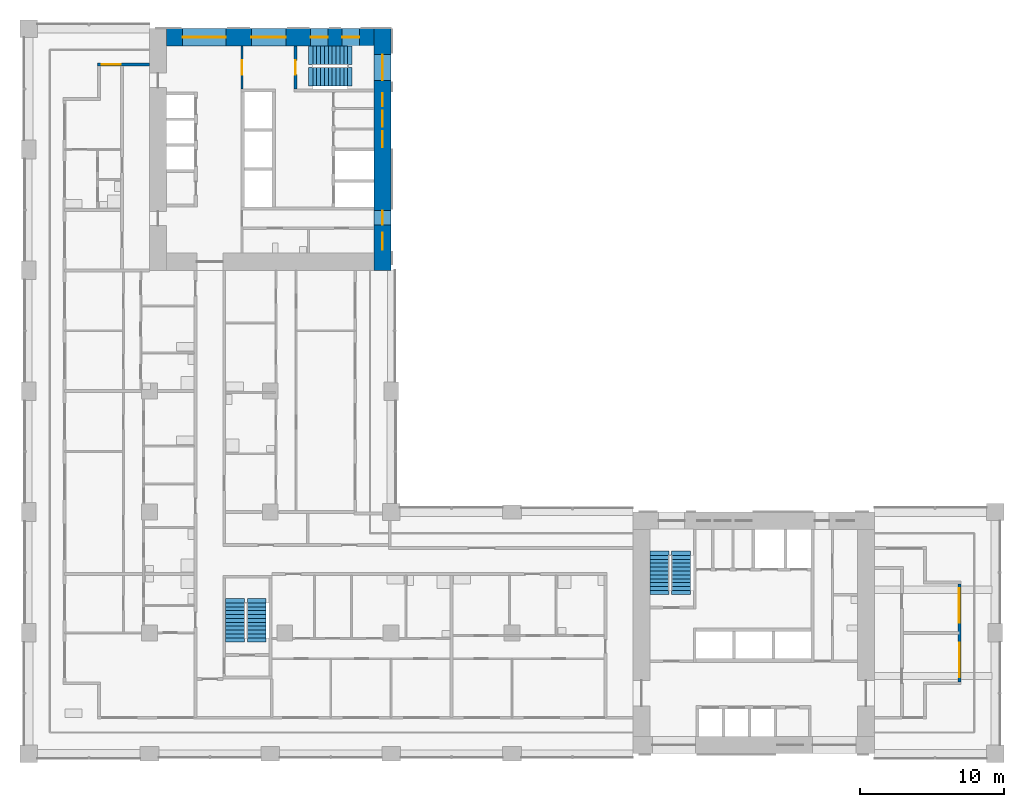
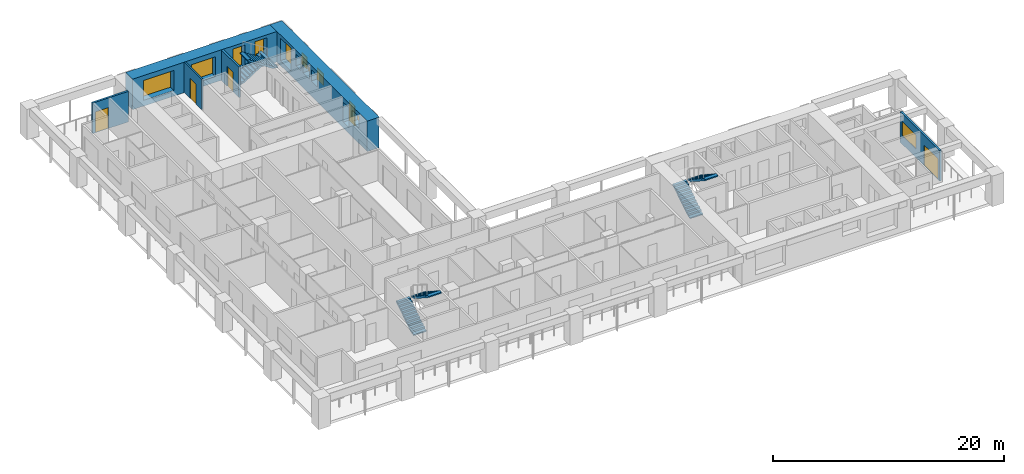
# One storey, part 8 of 17: 11 windows, 6 stair flights, 6 walls, 4 doors, 15 openings, 3 elements without a shape of their own.
"""IFC4 building model written with IfcOpenShell, lengths in metres."""

from ifc_helpers import new_model, si_unit, direction, frame, frame_2d, origin, place, context, subcontext, project, spatial, polyline, rectangle, outline, extrude, material, layer, layer_set, type_object, element, fill, aggregate, save


model = new_model("IFC4")

# Units and contexts
model_context = context("Model", 3, precision=1e-05, world=origin(), true_north=direction((0.0, 1.0)))
body_context = subcontext(model_context, "Body", "Model", "MODEL_VIEW")
ifc_project = project(units=[si_unit("LENGTHUNIT", "METRE"), si_unit("AREAUNIT", "SQUARE_METRE"), si_unit("VOLUMEUNIT", "CUBIC_METRE"), si_unit("PLANEANGLEUNIT", "RADIAN"), si_unit("MASSUNIT", "GRAM", prefix="KILO")], contexts=[model_context])

# Site, building, storey
site_placement = place(None, origin())
site = spatial("IfcSite", under=ifc_project, at=site_placement, CompositionType="ELEMENT")
building_placement = place(site_placement, origin())
building = spatial("IfcBuilding", under=site, at=building_placement, Name="Vermilion Gate Residences", CompositionType="ELEMENT")
storey_placement = place(building_placement, frame((0.0, 0.0, 112.699951171875)))
storey = spatial("IfcBuildingStorey", under=building, at=storey_placement, Name="L28", CompositionType="ELEMENT", Elevation=112.699951171875)

# Wall, opening, door
ifc_material_1 = material(Name="Masonry blockwork", Category="masonry")
ifc_layer_1 = layer(ifc_material_1, 0.14990234375)
ifc_layer_set_1 = layer_set([ifc_layer_1], Name="BLOCKWORK PARTITION 150 EI 120")
wall_type_1 = type_object("IfcWallType", Name="BLOCKWORK PARTITION 150 EI 120", PredefinedType="PARTITIONING", material=ifc_layer_set_1)
wall_1_placement = place(storey_placement, frame((14.824951171875, 57.60009765625, 0.0), z_axis=(0.0, 0.0, 1.0), x_axis=(0.0, -1.0, 0.0)))
wall_1 = element("IfcWall", 1, at=wall_1_placement, inside=storey, type_object=wall_type_1, Name="Core room partition B28-VW-S", PredefinedType="PARTITIONING", context=body_context, shape_type="SweptSolid", body=[
    extrude(rectangle(XDim=3.0, YDim=0.14990234375, at=frame_2d((1.5, 0.0))), origin(), (0.0, 0.0, 1.0), 3.219970703125),
])
opening_1_placement = place(wall_1_placement, frame((1.0, 0.0, 0.0)))
opening_1 = element("IfcOpeningElement", 2, at=opening_1_placement, cuts=wall_1, Name="Opening DK28113", PredefinedType="OPENING", context=body_context, shape_type="SweptSolid", body=[
    extrude(rectangle(XDim=1.0, YDim=2.10009765625, at=frame_2d((0.5, 1.050048828125))), frame((0.0, 0.0849609375, 0.0), z_axis=(0.0, -1.0, 0.0), x_axis=(1.0, 0.0, 0.0)), (0.0, 0.0, 1.0), 0.169921875),
])
ifc_material_2 = material(Name="Steel", Category="steel")
door_type_1 = type_object("IfcDoorType", Name="FIRE DOOR FD60 1000 X 2100", OperationType="SINGLE_SWING_LEFT", PredefinedType="DOOR", material=ifc_material_2)
door_1_placement = place(opening_1_placement, frame((1.0, 0.0, 0.0), z_axis=(0.0, 0.0, 1.0), x_axis=(-1.0, 0.0, 0.0)))
door_1 = element("IfcDoor", 3, at=door_1_placement, inside=storey, type_object=door_type_1, Name="Stair vestibule door B28", OperationType="SINGLE_SWING_RIGHT", OverallHeight=2.10009765625, OverallWidth=1.0, PredefinedType="DOOR", context=body_context, shape_type="SweptSolid", body=[
    extrude(rectangle(XDim=1.0, YDim=2.10009765625, at=frame_2d((0.5, 1.050048828125))), frame((0.0, 0.02490234375, 0.0), z_axis=(0.0, -1.0, 0.0), x_axis=(1.0, 0.0, 0.0)), (0.0, 0.0, 1.0), 0.050048828125),
])
fill(opening_1, door_1)

ifc_material_3 = material(Name="Insulated steel stud wall with terracotta rainscreen", Category="masonry")
ifc_layer_2 = layer(ifc_material_3, 0.199951171875)
ifc_layer_set_2 = layer_set([ifc_layer_2], Name="EXTERNAL WALL 200 TERRACOTTA RAINSCREEN")
wall_type_2 = type_object("IfcWallType", Name="EXTERNAL WALL 200 TERRACOTTA RAINSCREEN", PredefinedType="SOLIDWALL", material=ifc_layer_set_2)
wall_2_placement = place(storey_placement, frame((8.39990234375, 56.300048828125, 0.0), z_axis=(0.0, 0.0, 1.0), x_axis=(-1.0, 0.0, 0.0)))
wall_2 = element("IfcWall", 4, at=wall_2_placement, inside=storey, type_object=wall_type_2, Name="External wall", PredefinedType="SOLIDWALL", context=body_context, shape_type="SweptSolid", body=[
    extrude(rectangle(XDim=3.599853515625, YDim=0.199951171875, at=frame_2d((1.7998046875, 0.0))), origin(), (0.0, 0.0, 1.0), 3.219970703125),
])
opening_2_placement = place(wall_2_placement, frame((2.0, 0.0, 0.0)))
opening_2 = element("IfcOpeningElement", 5, at=opening_2_placement, cuts=wall_2, Name="Opening DE28001", PredefinedType="OPENING", context=body_context, shape_type="SweptSolid", body=[
    extrude(rectangle(XDim=1.300048828125, YDim=2.199951171875, at=frame_2d((0.64990234375, 1.10009765625))), frame((0.0, 0.10986328125, 0.0), z_axis=(0.0, -1.0, 0.0), x_axis=(1.0, 0.0, 0.0)), (0.0, 0.0, 1.0), 0.219970703125),
])
ifc_material_4 = material(Name="Aluminium and clear glass", Category="aluminium")
door_type_2 = type_object("IfcDoorType", Name="SLIDING GLAZED DOOR 1300 X 2200", OperationType="DOUBLE_DOOR_SLIDING", PredefinedType="DOOR", material=ifc_material_4)
door_2_placement = place(opening_2_placement, origin())
door_2 = element("IfcDoor", 6, at=door_2_placement, inside=storey, type_object=door_type_2, Name="Loggia sliding door", OperationType="DOUBLE_DOOR_SLIDING", OverallHeight=2.199951171875, OverallWidth=1.300048828125, PredefinedType="DOOR", context=body_context, shape_type="SweptSolid", body=[
    extrude(rectangle(XDim=1.300048828125, YDim=2.199951171875, at=frame_2d((0.64990234375, 1.10009765625))), frame((0.0, 0.02490234375, 0.0), z_axis=(0.0, -1.0, 0.0), x_axis=(1.0, 0.0, 0.0)), (0.0, 0.0, 1.0), 0.050048828125),
])
fill(opening_2, door_2)

# Wall, openings, door, window
wall_3_placement = place(storey_placement, frame((64.699951171875, 13.39990234375, 0.0), z_axis=(0.0, 0.0, 1.0), x_axis=(0.0, 1.0, 0.0)))
wall_3 = element("IfcWall", 7, at=wall_3_placement, inside=storey, type_object=wall_type_2, Name="External wall", PredefinedType="SOLIDWALL", context=body_context, shape_type="SweptSolid", body=[
    extrude(rectangle(XDim=6.800048828125, YDim=0.199951171875, at=frame_2d((3.39990234375, 0.0))), origin(), (0.0, 0.0, 1.0), 3.219970703125),
])
opening_3_placement = place(wall_3_placement, frame((4.10009765625, 0.0, 0.89990234375)))
opening_3 = element("IfcOpeningElement", 8, at=opening_3_placement, cuts=wall_3, Name="Opening WE28022", PredefinedType="OPENING", context=body_context, shape_type="SweptSolid", body=[
    extrude(rectangle(XDim=2.39990234375, YDim=1.5, at=frame_2d((1.199951171875, 0.75))), frame((0.0, 0.10986328125, 0.0), z_axis=(0.0, -1.0, 0.0), x_axis=(1.0, 0.0, 0.0)), (0.0, 0.0, 1.0), 0.219970703125),
])
opening_4_placement = place(wall_3_placement, frame((0.300048828125, 0.0, 0.0)))
opening_4 = element("IfcOpeningElement", 9, at=opening_4_placement, cuts=wall_3, Name="Opening DE28028", PredefinedType="OPENING", context=body_context, shape_type="SweptSolid", body=[
    extrude(rectangle(XDim=2.39990234375, YDim=2.199951171875, at=frame_2d((1.199951171875, 1.10009765625))), frame((0.0, 0.10986328125, 0.0), z_axis=(0.0, -1.0, 0.0), x_axis=(1.0, 0.0, 0.0)), (0.0, 0.0, 1.0), 0.219970703125),
])
ifc_material_5 = material(Name="Aluminium and clear glass", Category="aluminium")
door_type_3 = type_object("IfcDoorType", Name="SLIDING GLAZED DOOR 2400 X 2200", OperationType="DOUBLE_DOOR_SLIDING", PredefinedType="DOOR", material=ifc_material_5)
door_3_placement = place(opening_4_placement, origin())
door_3 = element("IfcDoor", 10, at=door_3_placement, inside=storey, type_object=door_type_3, Name="Loggia sliding door", OperationType="DOUBLE_DOOR_SLIDING", OverallHeight=2.199951171875, OverallWidth=2.39990234375, PredefinedType="DOOR", context=body_context, shape_type="SweptSolid", body=[
    extrude(rectangle(XDim=2.39990234375, YDim=2.199951171875, at=frame_2d((1.199951171875, 1.10009765625))), frame((0.0, 0.02490234375, 0.0), z_axis=(0.0, -1.0, 0.0), x_axis=(1.0, 0.0, 0.0)), (0.0, 0.0, 1.0), 0.050048828125),
])
fill(opening_4, door_3)
ifc_material_6 = material(Name="Aluminium and clear glass", Category="aluminium")
window_type_1 = type_object("IfcWindowType", Name="WINDOW 2400 X 1500", PartitioningType="SINGLE_PANEL", PredefinedType="WINDOW", material=ifc_material_6)
window_1_placement = place(opening_3_placement, origin())
window_1 = element("IfcWindow", 11, at=window_1_placement, inside=storey, type_object=window_type_1, Name="Window", OverallHeight=1.5, OverallWidth=2.39990234375, PartitioningType="SINGLE_PANEL", PredefinedType="WINDOW", context=body_context, shape_type="SweptSolid", body=[
    extrude(rectangle(XDim=2.39990234375, YDim=1.5, at=frame_2d((1.199951171875, 0.75))), frame((0.0, 0.030029296875, 0.0), z_axis=(0.0, -1.0, 0.0), x_axis=(1.0, 0.0, 0.0)), (0.0, 0.0, 1.0), 0.06005859375),
])
fill(opening_3, window_1)

# Wall, opening, door
ifc_material_7 = material(Name="Concrete C60", Category="concrete")
ifc_layer_3 = layer(ifc_material_7, 0.199951171875)
ifc_layer_set_3 = layer_set([ifc_layer_3], Name="RC CORE INTERNAL WALL 200 C60")
wall_type_3 = type_object("IfcWallType", Name="RC CORE INTERNAL WALL 200 C60", PredefinedType="SHEAR", material=ifc_layer_set_3)
wall_4_placement = place(storey_placement, frame((18.550048828125, 57.60009765625, 0.0), z_axis=(0.0, 0.0, 1.0), x_axis=(0.0, -1.0, 0.0)))
wall_4 = element("IfcWall", 12, at=wall_4_placement, inside=storey, type_object=wall_type_3, Name="Core internal wall B28-STW-S", PredefinedType="SHEAR", context=body_context, shape_type="SweptSolid", body=[
    extrude(rectangle(XDim=3.0, YDim=0.199951171875, at=frame_2d((1.5, 0.0))), origin(), (0.0, 0.0, 1.0), 3.219970703125),
])
opening_5_placement = place(wall_4_placement, frame((1.0, 0.0, 0.0)))
opening_5 = element("IfcOpeningElement", 13, at=opening_5_placement, cuts=wall_4, Name="Opening DK28114", PredefinedType="OPENING", context=body_context, shape_type="SweptSolid", body=[
    extrude(rectangle(XDim=1.0, YDim=2.10009765625, at=frame_2d((0.5, 1.050048828125))), frame((0.0, 0.10986328125, 0.0), z_axis=(0.0, -1.0, 0.0), x_axis=(1.0, 0.0, 0.0)), (0.0, 0.0, 1.0), 0.219970703125),
])
door_4_placement = place(opening_5_placement, origin())
door_4 = element("IfcDoor", 14, at=door_4_placement, inside=storey, type_object=door_type_1, Name="Stair door B28", OperationType="SINGLE_SWING_LEFT", OverallHeight=2.10009765625, OverallWidth=1.0, PredefinedType="DOOR", context=body_context, shape_type="SweptSolid", body=[
    extrude(rectangle(XDim=1.0, YDim=2.10009765625, at=frame_2d((0.5, 1.050048828125))), frame((0.0, 0.02490234375, 0.0), z_axis=(0.0, -1.0, 0.0), x_axis=(1.0, 0.0, 0.0)), (0.0, 0.0, 1.0), 0.050048828125),
])
fill(opening_5, door_4)

# Wall, openings, windows
ifc_material_8 = material(Name="Concrete C70 red-oxide pigmented", Category="concrete")
ifc_layer_4 = layer(ifc_material_8, 1.199951171875)
ifc_layer_set_4 = layer_set([ifc_layer_4], Name="RC CORE WALL 1200 C70 RED OXIDE")
wall_type_4 = type_object("IfcWallType", Name="RC CORE WALL 1200 C70 RED OXIDE", PredefinedType="SHEAR", material=ifc_layer_set_4)
wall_5_placement = place(storey_placement, frame((24.60009765625, 58.800048828125, 0.0), z_axis=(0.0, 0.0, 1.0), x_axis=(0.0, -1.0, 0.0)))
wall_5 = element("IfcWall", 15, at=wall_5_placement, inside=storey, type_object=wall_type_4, Name="Core wall B28-OUT-B1", PredefinedType="SHEAR", context=body_context, shape_type="SweptSolid", body=[
    extrude(rectangle(XDim=16.800048828125, YDim=1.199951171875, at=frame_2d((8.39990234375, 0.0))), origin(), (0.0, 0.0, 1.0), 3.219970703125),
])
opening_6_placement = place(wall_5_placement, frame((1.800048828125, 0.0, 0.5)))
opening_6 = element("IfcOpeningElement", 16, at=opening_6_placement, cuts=wall_5, Name="Opening WKB2801", PredefinedType="OPENING", context=body_context, shape_type="SweptSolid", body=[
    extrude(rectangle(XDim=1.800048828125, YDim=2.39990234375, at=frame_2d((0.89990234375, 1.199951171875))), frame((0.0, 0.60986328125, 0.0), z_axis=(0.0, -1.0, 0.0), x_axis=(1.0, 0.0, 0.0)), (0.0, 0.0, 1.0), 1.219970703125),
])
opening_7_placement = place(wall_5_placement, frame((4.489990234375, 0.0, 1.60009765625)))
opening_7 = element("IfcOpeningElement", 17, at=opening_7_placement, cuts=wall_5, Name="Opening WKB2802", PredefinedType="OPENING", context=body_context, shape_type="SweptSolid", body=[
    extrude(rectangle(XDim=0.89990234375, YDim=1.199951171875, at=frame_2d((0.449951171875, 0.60009765625))), frame((0.0, 0.60986328125, 0.0), z_axis=(0.0, -1.0, 0.0), x_axis=(1.0, 0.0, 0.0)), (0.0, 0.0, 1.0), 1.219970703125),
])
opening_8_placement = place(wall_5_placement, frame((5.7099609375, 0.0, 1.60009765625)))
opening_8 = element("IfcOpeningElement", 18, at=opening_8_placement, cuts=wall_5, Name="Opening WKB2803", PredefinedType="OPENING", context=body_context, shape_type="SweptSolid", body=[
    extrude(rectangle(XDim=1.10009765625, YDim=1.199951171875, at=frame_2d((0.550048828125, 0.60009765625))), frame((0.0, 0.60986328125, 0.0), z_axis=(0.0, -1.0, 0.0), x_axis=(1.0, 0.0, 0.0)), (0.0, 0.0, 1.0), 1.219970703125),
])
opening_9_placement = place(wall_5_placement, frame((7.14990234375, 0.0, 1.60009765625)))
opening_9 = element("IfcOpeningElement", 19, at=opening_9_placement, cuts=wall_5, Name="Opening WKB2804", PredefinedType="OPENING", context=body_context, shape_type="SweptSolid", body=[
    extrude(rectangle(XDim=1.10009765625, YDim=1.199951171875, at=frame_2d((0.550048828125, 0.60009765625))), frame((0.0, 0.60986328125, 0.0), z_axis=(0.0, -1.0, 0.0), x_axis=(1.0, 0.0, 0.0)), (0.0, 0.0, 1.0), 1.219970703125),
])
opening_10_placement = place(wall_5_placement, frame((12.64990234375, 0.0, 0.60009765625)))
opening_10 = element("IfcOpeningElement", 20, at=opening_10_placement, cuts=wall_5, Name="Opening WKB2805", PredefinedType="OPENING", context=body_context, shape_type="SweptSolid", body=[
    extrude(rectangle(XDim=1.0, YDim=2.10009765625, at=frame_2d((0.5, 1.050048828125))), frame((0.0, 0.60986328125, 0.0), z_axis=(0.0, -1.0, 0.0), x_axis=(1.0, 0.0, 0.0)), (0.0, 0.0, 1.0), 1.219970703125),
])
opening_11_placement = place(wall_5_placement, frame((14.175048828125, 0.0, 1.60009765625)))
opening_11 = element("IfcOpeningElement", 21, at=opening_11_placement, cuts=wall_5, Name="Opening WKB2806", PredefinedType="OPENING", context=body_context, shape_type="SweptSolid", body=[
    extrude(rectangle(XDim=1.199951171875, YDim=1.199951171875, at=frame_2d((0.60009765625, 0.60009765625))), frame((0.0, 0.60986328125, 0.0), z_axis=(0.0, -1.0, 0.0), x_axis=(1.0, 0.0, 0.0)), (0.0, 0.0, 1.0), 1.219970703125),
])
ifc_material_9 = material(Name="Aluminium and clear glass", Category="aluminium")
window_type_2 = type_object("IfcWindowType", Name="CORE CORRIDOR WINDOW 1000 X 2100", PartitioningType="SINGLE_PANEL", PredefinedType="WINDOW", material=ifc_material_9)
window_2_placement = place(opening_10_placement, origin())
window_2 = element("IfcWindow", 22, at=window_2_placement, inside=storey, type_object=window_type_2, Name="Core corridor window", OverallHeight=2.10009765625, OverallWidth=1.0, PartitioningType="SINGLE_PANEL", PredefinedType="WINDOW", context=body_context, shape_type="SweptSolid", body=[
    extrude(rectangle(XDim=1.0, YDim=2.10009765625, at=frame_2d((0.5, 1.050048828125))), frame((0.0, 0.030029296875, 0.0), z_axis=(0.0, -1.0, 0.0), x_axis=(1.0, 0.0, 0.0)), (0.0, 0.0, 1.0), 0.06005859375),
])
fill(opening_10, window_2)
ifc_material_10 = material(Name="Aluminium frame with louvre blades", Category="aluminium")
window_type_3 = type_object("IfcWindowType", Name="CORE LOUVRE 1100 X 1200", PartitioningType="SINGLE_PANEL", PredefinedType="WINDOW", material=ifc_material_10)
window_3_placement = place(opening_8_placement, origin())
window_3 = element("IfcWindow", 23, at=window_3_placement, inside=storey, type_object=window_type_3, Name="Core louvre", OverallHeight=1.199951171875, OverallWidth=1.10009765625, PartitioningType="SINGLE_PANEL", PredefinedType="WINDOW", context=body_context, shape_type="SweptSolid", body=[
    extrude(rectangle(XDim=1.10009765625, YDim=1.199951171875, at=frame_2d((0.550048828125, 0.60009765625))), frame((0.0, 0.030029296875, 0.0), z_axis=(0.0, -1.0, 0.0), x_axis=(1.0, 0.0, 0.0)), (0.0, 0.0, 1.0), 0.06005859375),
])
fill(opening_8, window_3)
window_4_placement = place(opening_9_placement, origin())
window_4 = element("IfcWindow", 24, at=window_4_placement, inside=storey, type_object=window_type_3, Name="Core louvre", OverallHeight=1.199951171875, OverallWidth=1.10009765625, PartitioningType="SINGLE_PANEL", PredefinedType="WINDOW", context=body_context, shape_type="SweptSolid", body=[
    extrude(rectangle(XDim=1.10009765625, YDim=1.199951171875, at=frame_2d((0.550048828125, 0.60009765625))), frame((0.0, 0.030029296875, 0.0), z_axis=(0.0, -1.0, 0.0), x_axis=(1.0, 0.0, 0.0)), (0.0, 0.0, 1.0), 0.06005859375),
])
fill(opening_9, window_4)
ifc_material_11 = material(Name="Aluminium frame with louvre blades", Category="aluminium")
window_type_4 = type_object("IfcWindowType", Name="CORE LOUVRE 1200 X 1200", PartitioningType="SINGLE_PANEL", PredefinedType="WINDOW", material=ifc_material_11)
window_5_placement = place(opening_11_placement, origin())
window_5 = element("IfcWindow", 25, at=window_5_placement, inside=storey, type_object=window_type_4, Name="Core louvre", OverallHeight=1.199951171875, OverallWidth=1.199951171875, PartitioningType="SINGLE_PANEL", PredefinedType="WINDOW", context=body_context, shape_type="SweptSolid", body=[
    extrude(rectangle(XDim=1.199951171875, YDim=1.199951171875, at=frame_2d((0.60009765625, 0.60009765625))), frame((0.0, 0.030029296875, 0.0), z_axis=(0.0, -1.0, 0.0), x_axis=(1.0, 0.0, 0.0)), (0.0, 0.0, 1.0), 0.06005859375),
])
fill(opening_11, window_5)
ifc_material_12 = material(Name="Aluminium frame with louvre blades", Category="aluminium")
window_type_5 = type_object("IfcWindowType", Name="CORE LOUVRE 900 X 1200", PartitioningType="SINGLE_PANEL", PredefinedType="WINDOW", material=ifc_material_12)
window_6_placement = place(opening_7_placement, origin())
window_6 = element("IfcWindow", 26, at=window_6_placement, inside=storey, type_object=window_type_5, Name="Core louvre", OverallHeight=1.199951171875, OverallWidth=0.89990234375, PartitioningType="SINGLE_PANEL", PredefinedType="WINDOW", context=body_context, shape_type="SweptSolid", body=[
    extrude(rectangle(XDim=0.89990234375, YDim=1.199951171875, at=frame_2d((0.449951171875, 0.60009765625))), frame((0.0, 0.030029296875, 0.0), z_axis=(0.0, -1.0, 0.0), x_axis=(1.0, 0.0, 0.0)), (0.0, 0.0, 1.0), 0.06005859375),
])
fill(opening_7, window_6)
ifc_material_13 = material(Name="Aluminium and clear glass", Category="aluminium")
window_type_6 = type_object("IfcWindowType", Name="CORE STAIR WINDOW 1800 X 2400", PartitioningType="SINGLE_PANEL", PredefinedType="WINDOW", material=ifc_material_13)
window_7_placement = place(opening_6_placement, origin())
window_7 = element("IfcWindow", 27, at=window_7_placement, inside=storey, type_object=window_type_6, Name="Core stair window", OverallHeight=2.39990234375, OverallWidth=1.800048828125, PartitioningType="SINGLE_PANEL", PredefinedType="WINDOW", context=body_context, shape_type="SweptSolid", body=[
    extrude(rectangle(XDim=1.800048828125, YDim=2.39990234375, at=frame_2d((0.89990234375, 1.199951171875))), frame((0.0, 0.030029296875, 0.0), z_axis=(0.0, -1.0, 0.0), x_axis=(1.0, 0.0, 0.0)), (0.0, 0.0, 1.0), 0.06005859375),
])
fill(opening_6, window_7)

wall_6_placement = place(storey_placement, frame((9.60009765625, 58.199951171875, 0.0), z_axis=(0.0, 0.0, 1.0), x_axis=(1.0, 0.0, 0.0)))
wall_6 = element("IfcWall", 28, at=wall_6_placement, inside=storey, type_object=wall_type_4, Name="Core wall B28-OUT-FR", PredefinedType="SHEAR", context=body_context, shape_type="SweptSolid", body=[
    extrude(rectangle(XDim=14.39990234375, YDim=1.199951171875, at=frame_2d((7.199951171875, 0.0))), origin(), (0.0, 0.0, 1.0), 3.219970703125),
])
opening_12_placement = place(wall_6_placement, frame((1.10498046875, 0.0, 0.60009765625)))
opening_12 = element("IfcOpeningElement", 29, at=opening_12_placement, cuts=wall_6, Name="Opening WKB2807", PredefinedType="OPENING", context=body_context, shape_type="SweptSolid", body=[
    extrude(rectangle(XDim=3.0, YDim=2.10009765625, at=frame_2d((1.5, 1.050048828125))), frame((0.0, 0.60986328125, 0.0), z_axis=(0.0, -1.0, 0.0), x_axis=(1.0, 0.0, 0.0)), (0.0, 0.0, 1.0), 1.219970703125),
])
opening_13_placement = place(wall_6_placement, frame((5.875, 0.0, 0.60009765625)))
opening_13 = element("IfcOpeningElement", 30, at=opening_13_placement, cuts=wall_6, Name="Opening WKB2808", PredefinedType="OPENING", context=body_context, shape_type="SweptSolid", body=[
    extrude(rectangle(XDim=2.39990234375, YDim=2.10009765625, at=frame_2d((1.199951171875, 1.050048828125))), frame((0.0, 0.60986328125, 0.0), z_axis=(0.0, -1.0, 0.0), x_axis=(1.0, 0.0, 0.0)), (0.0, 0.0, 1.0), 1.219970703125),
])
opening_14_placement = place(wall_6_placement, frame((9.993408203125, 0.0, 0.5)))
opening_14 = element("IfcOpeningElement", 31, at=opening_14_placement, cuts=wall_6, Name="Opening WKB2809", PredefinedType="OPENING", context=body_context, shape_type="SweptSolid", body=[
    extrude(rectangle(XDim=1.199951171875, YDim=2.39990234375, at=frame_2d((0.60009765625, 1.199951171875))), frame((0.0, 0.60986328125, 0.0), z_axis=(0.0, -1.0, 0.0), x_axis=(1.0, 0.0, 0.0)), (0.0, 0.0, 1.0), 1.219970703125),
])
opening_15_placement = place(wall_6_placement, frame((12.19677734375, 0.0, 0.5)))
opening_15 = element("IfcOpeningElement", 32, at=opening_15_placement, cuts=wall_6, Name="Opening WKB2810", PredefinedType="OPENING", context=body_context, shape_type="SweptSolid", body=[
    extrude(rectangle(XDim=1.199951171875, YDim=2.39990234375, at=frame_2d((0.60009765625, 1.199951171875))), frame((0.0, 0.60986328125, 0.0), z_axis=(0.0, -1.0, 0.0), x_axis=(1.0, 0.0, 0.0)), (0.0, 0.0, 1.0), 1.219970703125),
])
ifc_material_14 = material(Name="Aluminium and clear glass", Category="aluminium")
window_type_7 = type_object("IfcWindowType", Name="CORE LOBBY WINDOW 2400 X 2100", PartitioningType="SINGLE_PANEL", PredefinedType="WINDOW", material=ifc_material_14)
window_8_placement = place(opening_13_placement, origin())
window_8 = element("IfcWindow", 33, at=window_8_placement, inside=storey, type_object=window_type_7, Name="Core lobby window", OverallHeight=2.10009765625, OverallWidth=2.39990234375, PartitioningType="SINGLE_PANEL", PredefinedType="WINDOW", context=body_context, shape_type="SweptSolid", body=[
    extrude(rectangle(XDim=2.39990234375, YDim=2.10009765625, at=frame_2d((1.199951171875, 1.050048828125))), frame((0.0, 0.030029296875, 0.0), z_axis=(0.0, -1.0, 0.0), x_axis=(1.0, 0.0, 0.0)), (0.0, 0.0, 1.0), 0.06005859375),
])
fill(opening_13, window_8)
ifc_material_15 = material(Name="Aluminium and clear glass", Category="aluminium")
window_type_8 = type_object("IfcWindowType", Name="CORE LOBBY WINDOW 3000 X 2100", PartitioningType="SINGLE_PANEL", PredefinedType="WINDOW", material=ifc_material_15)
window_9_placement = place(opening_12_placement, origin())
window_9 = element("IfcWindow", 34, at=window_9_placement, inside=storey, type_object=window_type_8, Name="Core lobby window", OverallHeight=2.10009765625, OverallWidth=3.0, PartitioningType="SINGLE_PANEL", PredefinedType="WINDOW", context=body_context, shape_type="SweptSolid", body=[
    extrude(rectangle(XDim=3.0, YDim=2.10009765625, at=frame_2d((1.5, 1.050048828125))), frame((0.0, 0.030029296875, 0.0), z_axis=(0.0, -1.0, 0.0), x_axis=(1.0, 0.0, 0.0)), (0.0, 0.0, 1.0), 0.06005859375),
])
fill(opening_12, window_9)
ifc_material_16 = material(Name="Aluminium and clear glass", Category="aluminium")
window_type_9 = type_object("IfcWindowType", Name="CORE STAIR WINDOW 1200 X 2400", PartitioningType="SINGLE_PANEL", PredefinedType="WINDOW", material=ifc_material_16)
window_10_placement = place(opening_14_placement, origin())
window_10 = element("IfcWindow", 35, at=window_10_placement, inside=storey, type_object=window_type_9, Name="Core stair window", OverallHeight=2.39990234375, OverallWidth=1.199951171875, PartitioningType="SINGLE_PANEL", PredefinedType="WINDOW", context=body_context, shape_type="SweptSolid", body=[
    extrude(rectangle(XDim=1.199951171875, YDim=2.39990234375, at=frame_2d((0.60009765625, 1.199951171875))), frame((0.0, 0.030029296875, 0.0), z_axis=(0.0, -1.0, 0.0), x_axis=(1.0, 0.0, 0.0)), (0.0, 0.0, 1.0), 0.06005859375),
])
fill(opening_14, window_10)
window_11_placement = place(opening_15_placement, origin())
window_11 = element("IfcWindow", 36, at=window_11_placement, inside=storey, type_object=window_type_9, Name="Core stair window", OverallHeight=2.39990234375, OverallWidth=1.199951171875, PartitioningType="SINGLE_PANEL", PredefinedType="WINDOW", context=body_context, shape_type="SweptSolid", body=[
    extrude(rectangle(XDim=1.199951171875, YDim=2.39990234375, at=frame_2d((0.60009765625, 1.199951171875))), frame((0.0, 0.030029296875, 0.0), z_axis=(0.0, -1.0, 0.0), x_axis=(1.0, 0.0, 0.0)), (0.0, 0.0, 1.0), 0.06005859375),
])
fill(opening_15, window_11)

# Stair, stair flights
ifc_material_17 = material(Name="Concrete C50", Category="concrete")
stair_type = type_object("IfcStairType", Name="SPECIAL ESCAPE STAIR 1300", PredefinedType="HALF_TURN_STAIR", material=ifc_material_17)
stair_1_placement = place(storey_placement, origin())
stair_1 = element("IfcStair", 37, at=stair_1_placement, inside=storey, type_object=stair_type, Name="Special escape stair STA1-28", PredefinedType="HALF_TURN_STAIR")
ifc_material_18 = material(Name="Concrete C50", Category="concrete")
stair_flight_type = type_object("IfcStairFlightType", Name="STAIR FLIGHT 1300 RC C50", PredefinedType="STRAIGHT", material=ifc_material_18)
stair_flight_1_placement = place(storey_placement, frame((43.85009765625, 19.75, 0.0), z_axis=(0.0, 0.0, 1.0), x_axis=(0.0, 1.0, 0.0)))
stair_flight_1 = element("IfcStairFlight", 38, at=stair_flight_1_placement, type_object=stair_flight_type, Name="STA1-28 flight 1", NumberOfRisers=10, NumberOfTreads=9, PredefinedType="STRAIGHT", RiserHeight=0.175, TreadLength=0.27, context=body_context, shape_type="SweptSolid", body=[
    extrude(outline(polyline([(-0.300048828125, -0.14990234375), (-0.300048828125, -0.030029296875), (0.0, 0.0), (0.0, 0.175048828125), (0.27001953125, 0.175048828125), (0.27001953125, 0.35009765625), (0.5400390625, 0.35009765625), (0.5400390625, 0.52490234375), (0.81005859375, 0.52490234375), (0.81005859375, 0.699951171875), (1.080078125, 0.699951171875), (1.080078125, 0.875), (1.35009765625, 0.875), (1.35009765625, 1.050048828125), (1.6201171875, 1.050048828125), (1.6201171875, 1.22509765625), (1.889892578125, 1.22509765625), (1.889892578125, 1.39990234375), (2.159912109375, 1.39990234375), (2.159912109375, 1.574951171875), (2.429931640625, 1.574951171875), (2.429931640625, 1.75), (2.72998046875, 1.719970703125), (2.72998046875, 1.60009765625), (2.429931640625, 1.396484375), (0.275634765625, 0.0), (-0.300048828125, -0.14990234375)])), frame((0.0, 0.64990234375, 0.0), z_axis=(0.0, -1.0, 0.0), x_axis=(1.0, 0.0, 0.0)), (0.0, 0.0, 1.0), 1.300048828125),
])
stair_flight_2_placement = place(storey_placement, frame((45.35009765625, 22.179931640625, 1.75), z_axis=(0.0, 0.0, 1.0), x_axis=(0.0, -1.0, 0.0)))
stair_flight_2 = element("IfcStairFlight", 39, at=stair_flight_2_placement, type_object=stair_flight_type, Name="STA1-28 flight 2", NumberOfRisers=10, NumberOfTreads=9, PredefinedType="STRAIGHT", RiserHeight=0.175, TreadLength=0.27, context=body_context, shape_type="SweptSolid", body=[
    extrude(outline(polyline([(-0.300048828125, -0.14990234375), (-0.300048828125, -0.030029296875), (0.0, 0.0), (0.0, 0.175048828125), (0.27001953125, 0.175048828125), (0.27001953125, 0.35009765625), (0.5400390625, 0.35009765625), (0.5400390625, 0.52490234375), (0.81005859375, 0.52490234375), (0.81005859375, 0.699951171875), (1.080078125, 0.699951171875), (1.080078125, 0.875), (1.35009765625, 0.875), (1.35009765625, 1.050048828125), (1.6201171875, 1.050048828125), (1.6201171875, 1.22509765625), (1.889892578125, 1.22509765625), (1.889892578125, 1.39990234375), (2.159912109375, 1.39990234375), (2.159912109375, 1.574951171875), (2.429931640625, 1.574951171875), (2.429931640625, 1.75), (2.72998046875, 1.719970703125), (2.72998046875, 1.60009765625), (2.429931640625, 1.396484375), (0.275634765625, 0.0), (-0.300048828125, -0.14990234375)])), frame((0.0, 0.64990234375, 0.0), z_axis=(0.0, -1.0, 0.0), x_axis=(1.0, 0.0, 0.0)), (0.0, 0.0, 1.0), 1.300048828125),
])
aggregate(stair_1, [stair_flight_1, stair_flight_2])

stair_2_placement = place(storey_placement, origin())
stair_2 = element("IfcStair", 40, at=stair_2_placement, inside=storey, type_object=stair_type, Name="Special escape stair STB1-28", PredefinedType="HALF_TURN_STAIR")
stair_flight_3_placement = place(storey_placement, frame((19.75, 56.949951171875, 0.0), z_axis=(0.0, 0.0, 1.0), x_axis=(1.0, 0.0, 0.0)))
stair_flight_3 = element("IfcStairFlight", 41, at=stair_flight_3_placement, type_object=stair_flight_type, Name="STB1-28 flight 1", NumberOfRisers=10, NumberOfTreads=9, PredefinedType="STRAIGHT", RiserHeight=0.175, TreadLength=0.27, context=body_context, shape_type="SweptSolid", body=[
    extrude(outline(polyline([(-0.300048828125, -0.14990234375), (-0.300048828125, -0.030029296875), (0.0, 0.0), (0.0, 0.175048828125), (0.27001953125, 0.175048828125), (0.27001953125, 0.35009765625), (0.5400390625, 0.35009765625), (0.5400390625, 0.52490234375), (0.81005859375, 0.52490234375), (0.81005859375, 0.699951171875), (1.080078125, 0.699951171875), (1.080078125, 0.875), (1.35009765625, 0.875), (1.35009765625, 1.050048828125), (1.6201171875, 1.050048828125), (1.6201171875, 1.22509765625), (1.889892578125, 1.22509765625), (1.889892578125, 1.39990234375), (2.159912109375, 1.39990234375), (2.159912109375, 1.574951171875), (2.429931640625, 1.574951171875), (2.429931640625, 1.75), (2.72998046875, 1.719970703125), (2.72998046875, 1.60009765625), (2.429931640625, 1.396484375), (0.275634765625, 0.0), (-0.300048828125, -0.14990234375)])), frame((0.0, 0.64990234375, 0.0), z_axis=(0.0, -1.0, 0.0), x_axis=(1.0, 0.0, 0.0)), (0.0, 0.0, 1.0), 1.300048828125),
])
stair_flight_4_placement = place(storey_placement, frame((22.179931640625, 55.449951171875, 1.75), z_axis=(0.0, 0.0, 1.0), x_axis=(-1.0, 0.0, 0.0)))
stair_flight_4 = element("IfcStairFlight", 42, at=stair_flight_4_placement, type_object=stair_flight_type, Name="STB1-28 flight 2", NumberOfRisers=10, NumberOfTreads=9, PredefinedType="STRAIGHT", RiserHeight=0.175, TreadLength=0.27, context=body_context, shape_type="SweptSolid", body=[
    extrude(outline(polyline([(-0.300048828125, -0.14990234375), (-0.300048828125, -0.030029296875), (0.0, 0.0), (0.0, 0.175048828125), (0.27001953125, 0.175048828125), (0.27001953125, 0.35009765625), (0.5400390625, 0.35009765625), (0.5400390625, 0.52490234375), (0.81005859375, 0.52490234375), (0.81005859375, 0.699951171875), (1.080078125, 0.699951171875), (1.080078125, 0.875), (1.35009765625, 0.875), (1.35009765625, 1.050048828125), (1.6201171875, 1.050048828125), (1.6201171875, 1.22509765625), (1.889892578125, 1.22509765625), (1.889892578125, 1.39990234375), (2.159912109375, 1.39990234375), (2.159912109375, 1.574951171875), (2.429931640625, 1.574951171875), (2.429931640625, 1.75), (2.72998046875, 1.719970703125), (2.72998046875, 1.60009765625), (2.429931640625, 1.396484375), (0.275634765625, 0.0), (-0.300048828125, -0.14990234375)])), frame((0.0, 0.64990234375, 0.0), z_axis=(0.0, -1.0, 0.0), x_axis=(1.0, 0.0, 0.0)), (0.0, 0.0, 1.0), 1.300048828125),
])
aggregate(stair_2, [stair_flight_3, stair_flight_4])

stair_3_placement = place(storey_placement, origin())
stair_3 = element("IfcStair", 43, at=stair_3_placement, inside=storey, type_object=stair_type, Name="Special escape stair STC1-28", PredefinedType="HALF_TURN_STAIR")
stair_flight_5_placement = place(storey_placement, frame((14.35009765625, 16.449951171875, 0.0), z_axis=(0.0, 0.0, 1.0), x_axis=(0.0, 1.0, 0.0)))
stair_flight_5 = element("IfcStairFlight", 44, at=stair_flight_5_placement, type_object=stair_flight_type, Name="STC1-28 flight 1", NumberOfRisers=10, NumberOfTreads=9, PredefinedType="STRAIGHT", RiserHeight=0.175, TreadLength=0.27, context=body_context, shape_type="SweptSolid", body=[
    extrude(outline(polyline([(-0.300048828125, -0.14990234375), (-0.300048828125, -0.030029296875), (0.0, 0.0), (0.0, 0.175048828125), (0.27001953125, 0.175048828125), (0.27001953125, 0.35009765625), (0.5400390625, 0.35009765625), (0.5400390625, 0.52490234375), (0.81005859375, 0.52490234375), (0.81005859375, 0.699951171875), (1.080078125, 0.699951171875), (1.080078125, 0.875), (1.35009765625, 0.875), (1.35009765625, 1.050048828125), (1.6201171875, 1.050048828125), (1.6201171875, 1.22509765625), (1.889892578125, 1.22509765625), (1.889892578125, 1.39990234375), (2.159912109375, 1.39990234375), (2.159912109375, 1.574951171875), (2.429931640625, 1.574951171875), (2.429931640625, 1.75), (2.72998046875, 1.719970703125), (2.72998046875, 1.60009765625), (2.429931640625, 1.396484375), (0.275634765625, 0.0), (-0.300048828125, -0.14990234375)])), frame((0.0, 0.64990234375, 0.0), z_axis=(0.0, -1.0, 0.0), x_axis=(1.0, 0.0, 0.0)), (0.0, 0.0, 1.0), 1.300048828125),
])
stair_flight_6_placement = place(storey_placement, frame((15.85009765625, 18.8798828125, 1.75), z_axis=(0.0, 0.0, 1.0), x_axis=(0.0, -1.0, 0.0)))
stair_flight_6 = element("IfcStairFlight", 45, at=stair_flight_6_placement, type_object=stair_flight_type, Name="STC1-28 flight 2", NumberOfRisers=10, NumberOfTreads=9, PredefinedType="STRAIGHT", RiserHeight=0.175, TreadLength=0.27, context=body_context, shape_type="SweptSolid", body=[
    extrude(outline(polyline([(-0.300048828125, -0.14990234375), (-0.300048828125, -0.030029296875), (0.0, 0.0), (0.0, 0.175048828125), (0.27001953125, 0.175048828125), (0.27001953125, 0.35009765625), (0.5400390625, 0.35009765625), (0.5400390625, 0.52490234375), (0.81005859375, 0.52490234375), (0.81005859375, 0.699951171875), (1.080078125, 0.699951171875), (1.080078125, 0.875), (1.35009765625, 0.875), (1.35009765625, 1.050048828125), (1.6201171875, 1.050048828125), (1.6201171875, 1.22509765625), (1.889892578125, 1.22509765625), (1.889892578125, 1.39990234375), (2.159912109375, 1.39990234375), (2.159912109375, 1.574951171875), (2.429931640625, 1.574951171875), (2.429931640625, 1.75), (2.72998046875, 1.719970703125), (2.72998046875, 1.60009765625), (2.429931640625, 1.396484375), (0.275634765625, 0.0), (-0.300048828125, -0.14990234375)])), frame((0.0, 0.64990234375, 0.0), z_axis=(0.0, -1.0, 0.0), x_axis=(1.0, 0.0, 0.0)), (0.0, 0.0, 1.0), 1.300048828125),
])
aggregate(stair_3, [stair_flight_5, stair_flight_6])

save(model, "model.ifc")
